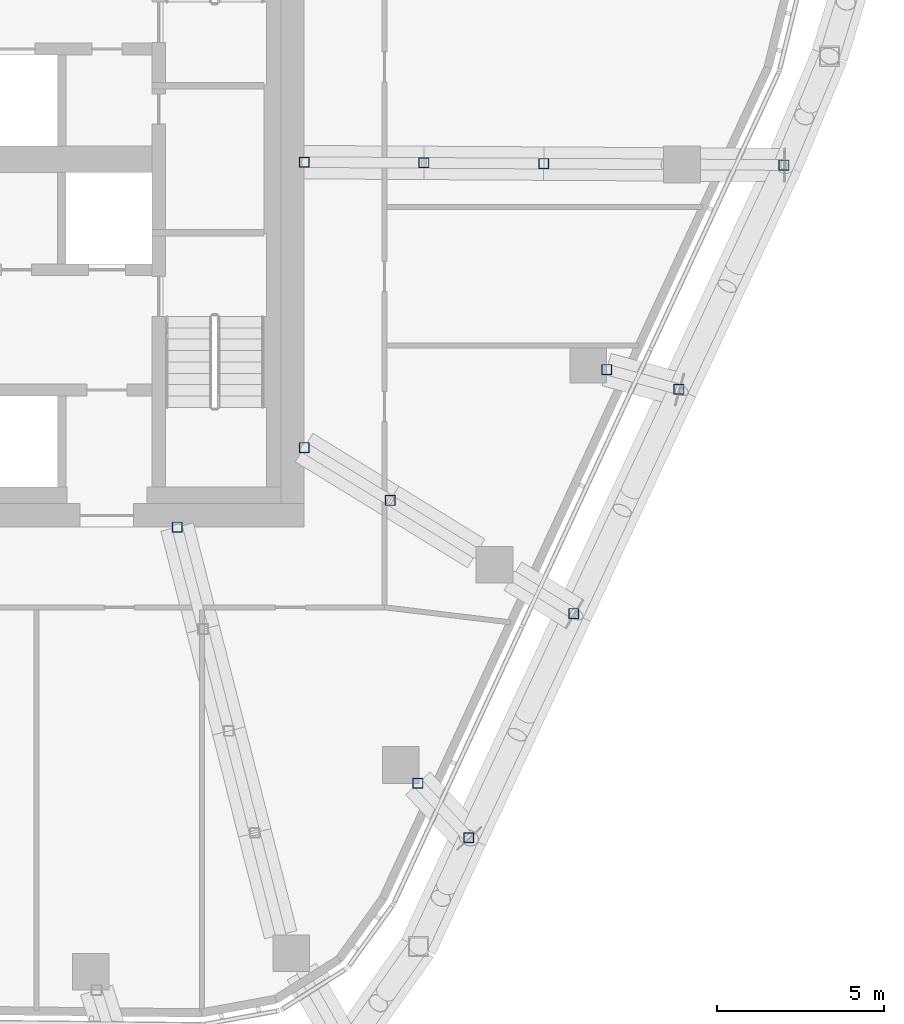
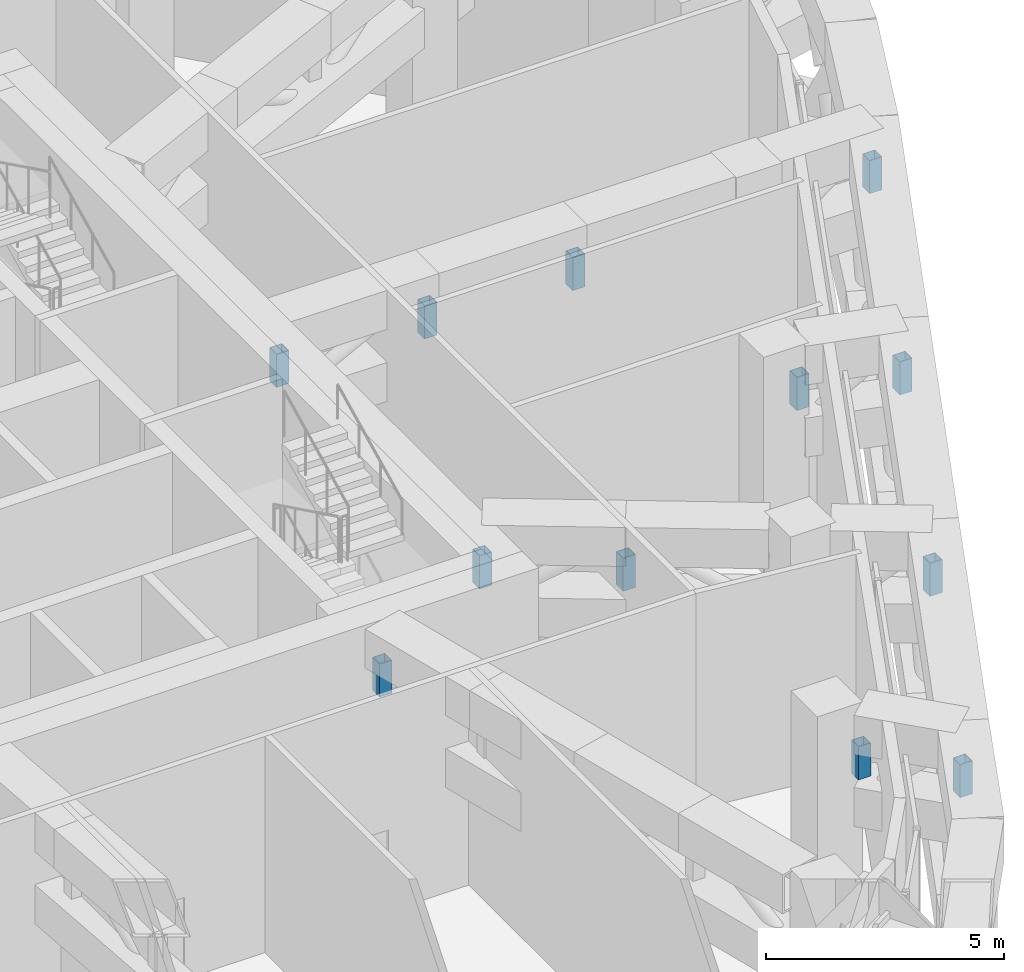
# One storey, part 12 of 31: 12 members.
"""IFC4 building model written with IfcOpenShell, lengths in metres."""

from ifc_helpers import new_model, si_unit, direction, frame, origin, origin_2d, place, context, subcontext, project, spatial, hollow_rectangle, extrude, material, material_profile, profile_set, type_object, element, save


model = new_model("IFC4")

# Units and contexts
model_context = context("Model", 3, precision=1e-05, world=origin(), true_north=direction((0.0, 1.0)))
body_context = subcontext(model_context, "Body", "Model", "MODEL_VIEW")
ifc_project = project(units=[si_unit("LENGTHUNIT", "METRE"), si_unit("AREAUNIT", "SQUARE_METRE"), si_unit("VOLUMEUNIT", "CUBIC_METRE"), si_unit("PLANEANGLEUNIT", "RADIAN"), si_unit("MASSUNIT", "GRAM", prefix="KILO")], contexts=[model_context])

# Site, building, storey
site_placement = place(None, origin())
site = spatial("IfcSite", under=ifc_project, at=site_placement, CompositionType="ELEMENT")
building_placement = place(site_placement, origin())
building = spatial("IfcBuilding", under=site, at=building_placement, Name="Dongbaek Canopy Tower", CompositionType="ELEMENT")
storey_placement = place(building_placement, frame((0.0, 0.0, 283.199951171875)))
storey = spatial("IfcBuildingStorey", under=building, at=storey_placement, Name="L60", CompositionType="ELEMENT", Elevation=283.199951171875)

# Members
ifc_material_1 = material(Name="Steel S355", Category="steel")
ifc_material_profile_1 = material_profile(ifc_material_1, hollow_rectangle(XDim=0.300048828125, YDim=0.300048828125, WallThickness=0.011962890625, at=origin_2d()), Name="OUTRIGGER POST SHS 300x300x12 Steel S355")
ifc_profile_set_1 = profile_set([ifc_material_profile_1], Name="Steel S355")
member_type_1 = type_object("IfcMemberType", Name="OUTRIGGER POST SHS 300x300x12 Steel S355", PredefinedType="POST", material=ifc_profile_set_1)
for number, where, z_axis, x_axis, name in (
    (1, (10.199951171875, -11.0, 3.699951171875), (0.0, 0.0, 1.0), (1.0, 0.0, 0.0), "TRUSS:L60:0:P0"),
    (2, (14.0, -0.083984375, 3.699951171875), (0.0, 0.0, 1.0), (1.0, 0.0, 0.0), "TRUSS:L60:22:P0"),
    (3, (17.583984375, -0.105712890625, 3.699951171875), (0.0, 0.0, 1.0), (1.0, 0.0, 0.0), "TRUSS:L60:22:P1"),
    (4, (21.16796875, -0.127197265625, 3.699951171875), (0.0, 0.0, 1.0), (1.0, 0.0, 0.0), "TRUSS:L60:22:P2"),
    (5, (28.35107421875, -0.17041015625, 3.699951171875), (0.0, 0.0, 1.0), (1.0, 0.0, 0.0), "TRUSS:L60:22s:P1"),
    (6, (14.0, -8.620361328125, 3.699951171875), (0.0, 0.0, 1.0), (1.0, 0.0, 0.0), "TRUSS:L60:24:P0"),
    (7, (16.572509765625, -10.204345703125, 3.699951171875), (0.0, 0.0, 1.0), (1.0, 0.0, 0.0), "TRUSS:L60:24:P1"),
    (8, (22.06787109375, -13.588134765625, 3.699951171875), (0.0, 0.0, 1.0), (1.0, 0.0, 0.0), "TRUSS:L60:24s:P1"),
):
    element("IfcMember", number, at=place(storey_placement, frame(where, z_axis=z_axis, x_axis=x_axis)), inside=storey, type_object=member_type_1, Name=name, PredefinedType="POST", context=body_context, shape_type="SweptSolid", body=[
        extrude(hollow_rectangle(XDim=0.300048828125, YDim=0.300048828125, WallThickness=0.011962890625, at=origin_2d()), origin(), (0.0, 0.0, 1.0), 0.85009765625),
    ])
ifc_material_2 = material(Name="Steel S355", Category="steel")
ifc_material_profile_2 = material_profile(ifc_material_2, hollow_rectangle(XDim=0.300048828125, YDim=0.300048828125, WallThickness=0.011962890625, at=origin_2d()), Name="POST SHS 300x300x12 Steel S355")
ifc_profile_set_2 = profile_set([ifc_material_profile_2], Name="Steel S355")
member_type_2 = type_object("IfcMemberType", Name="POST SHS 300x300x12 Steel S355", PredefinedType="POST", material=ifc_profile_set_2)
for number, where, z_axis, x_axis, name in (
    (9, (23.049072265625, -6.2890625, 3.699951171875), (0.0, 0.0, 1.0), (1.0, 0.0, 0.0), "TRUSS:L60:23:P0"),
    (10, (25.210205078125, -6.878662109375, 3.699951171875), (0.0, 0.0, 1.0), (1.0, 0.0, 0.0), "TRUSS:L60:23:P1"),
    (11, (17.40283203125, -18.6640625, 3.699951171875), (0.0, 0.0, 1.0), (1.0, 0.0, 0.0), "TRUSS:L60:25:P0"),
    (12, (18.9248046875, -20.296142578125, 3.699951171875), (0.0, 0.0, 1.0), (1.0, 0.0, 0.0), "TRUSS:L60:25:P1"),
):
    element("IfcMember", number, at=place(storey_placement, frame(where, z_axis=z_axis, x_axis=x_axis)), inside=storey, type_object=member_type_2, Name=name, PredefinedType="POST", context=body_context, shape_type="SweptSolid", body=[
        extrude(hollow_rectangle(XDim=0.300048828125, YDim=0.300048828125, WallThickness=0.011962890625, at=origin_2d()), origin(), (0.0, 0.0, 1.0), 0.85009765625),
    ])

save(model, "model.ifc")
